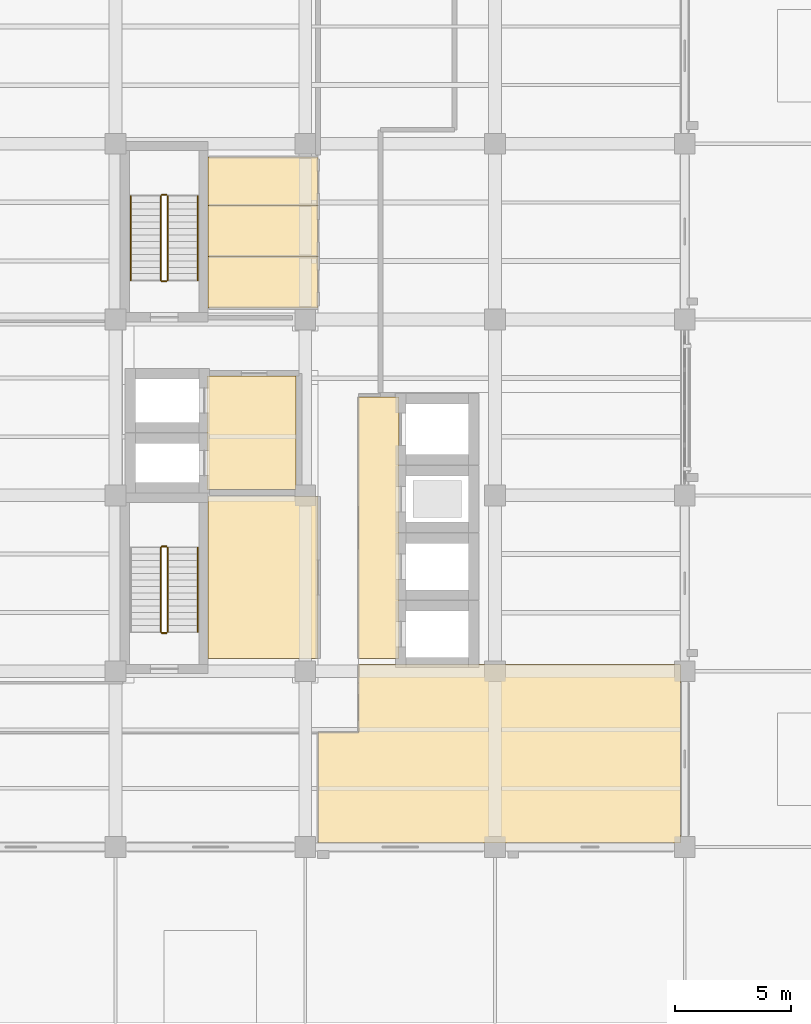
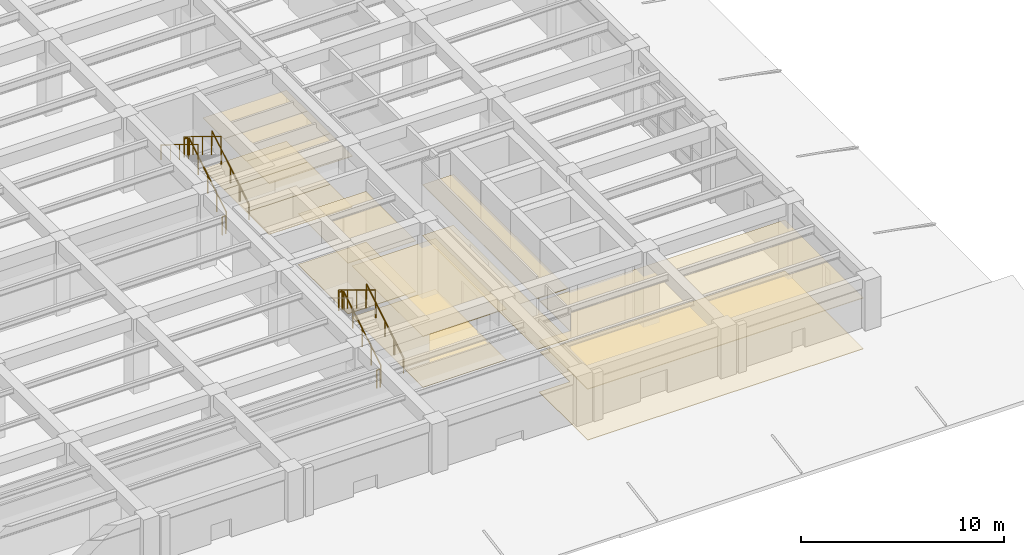
# One storey, part 54 of 57: 14 coverings, 11 railings.
"""IFC4 building model written with IfcOpenShell, lengths in metres."""

from ifc_helpers import new_model, si_unit, direction, frame, origin, origin_2d, place, context, subcontext, project, spatial, polyline, circle, outline, extrude, material, layer, layer_set, type_object, element, save


model = new_model("IFC4")

# Units and contexts
model_context = context("Model", 3, precision=1e-05, world=origin(), true_north=direction((0.0, 1.0)))
body_context = subcontext(model_context, "Body", "Model", "MODEL_VIEW")
ifc_project = project(units=[si_unit("LENGTHUNIT", "METRE"), si_unit("AREAUNIT", "SQUARE_METRE"), si_unit("VOLUMEUNIT", "CUBIC_METRE"), si_unit("PLANEANGLEUNIT", "RADIAN"), si_unit("MASSUNIT", "GRAM", prefix="KILO")], contexts=[model_context])

# Site, building, storey
site_placement = place(None, origin())
site = spatial("IfcSite", under=ifc_project, at=site_placement, CompositionType="ELEMENT")
building_placement = place(site_placement, origin())
building = spatial("IfcBuilding", under=site, at=building_placement, Name="Qandaris Square Conservatory and Botanical Centre", CompositionType="ELEMENT")
storey_placement = place(building_placement, frame((0.0, 0.0, 5.39990234375)))
storey = spatial("IfcBuildingStorey", under=building, at=storey_placement, Name="L01", CompositionType="ELEMENT", Elevation=5.39990234375)

# Coverings
ifc_material_1 = material(Name="Honed Qatari Limestone", Category="masonry")
ifc_layer_1 = layer(ifc_material_1, 0.030029296875)
ifc_layer_set_1 = layer_set([ifc_layer_1], Name="Honed Qatari Limestone")
covering_type_1 = type_object("IfcCoveringType", Name="Honed Qatari Limestone Concourse Paving", PredefinedType="FLOORING", material=ifc_layer_set_1)
covering_1_placement = place(storey_placement, origin())
element("IfcCovering", 1, at=covering_1_placement, inside=storey, type_object=covering_type_1, Name="Firefighting Lift Lobby L01 Flooring", PredefinedType="FLOORING", context=body_context, shape_type="SweptSolid", body=[
    extrude(outline(polyline([(143.14990234375, 36.949951171875), (147.0, 36.949951171875), (147.0, 32.050048828125), (143.14990234375, 32.050048828125), (143.14990234375, 36.949951171875)])), origin(), (0.0, 0.0, 1.0), 0.030029296875),
])
covering_2_placement = place(storey_placement, origin())
element("IfcCovering", 2, at=covering_2_placement, inside=storey, type_object=covering_type_1, Name="Passenger Lift Lobby L01 Flooring", PredefinedType="FLOORING", context=body_context, shape_type="SweptSolid", body=[
    extrude(outline(polyline([(149.699951171875, 36.050048828125), (151.449951171875, 36.050048828125), (151.449951171875, 24.75), (149.699951171875, 24.75), (149.699951171875, 36.050048828125)])), origin(), (0.0, 0.0, 1.0), 0.030029296875),
])
covering_3_placement = place(storey_placement, origin())
element("IfcCovering", 3, at=covering_3_placement, inside=storey, type_object=covering_type_1, Name="Qatari Flora Seminar Room Flooring", PredefinedType="FLOORING", context=body_context, shape_type="SweptSolid", body=[
    extrude(outline(polyline([(147.949951171875, 21.550048828125), (149.699951171875, 21.550048828125), (149.699951171875, 23.699951171875), (149.699951171875, 24.5), (163.6201171875, 24.5), (163.6201171875, 16.780029296875), (147.949951171875, 16.780029296875), (147.949951171875, 21.550048828125)])), origin(), (0.0, 0.0, 1.0), 0.030029296875),
])
ifc_material_2 = material(Name="Gypsum Plasterboard", Category="gypsum")
ifc_layer_2 = layer(ifc_material_2, 0.02490234375)
ifc_layer_set_2 = layer_set([ifc_layer_2], Name="Gypsum Plasterboard")
covering_type_2 = type_object("IfcCoveringType", Name="Perforated Acoustic Lab Ceiling Tile", PredefinedType="CEILING", material=ifc_layer_set_2)
covering_4_placement = place(storey_placement, frame((0.0, 0.0, 3.050048828125)))
element("IfcCovering", 4, at=covering_4_placement, inside=storey, type_object=covering_type_2, Name="Firefighting Lift Lobby L01 Ceiling", PredefinedType="CEILING", context=body_context, shape_type="SweptSolid", body=[
    extrude(outline(polyline([(143.14990234375, 36.949951171875), (147.0, 36.949951171875), (147.0, 32.050048828125), (143.14990234375, 32.050048828125), (143.14990234375, 36.949951171875)])), origin(), (0.0, 0.0, 1.0), 0.025146484375),
])
covering_5_placement = place(storey_placement, frame((0.0, 0.0, 3.050048828125)))
element("IfcCovering", 5, at=covering_5_placement, inside=storey, type_object=covering_type_2, Name="Electrical and Telecom Riser Room L01 Ceiling", PredefinedType="CEILING", context=body_context, shape_type="SweptSolid", body=[
    extrude(outline(polyline([(147.949951171875, 31.75), (147.949951171875, 24.75), (143.199951171875, 24.75), (143.199951171875, 31.75), (147.949951171875, 31.75)])), origin(), (0.0, 0.0, 1.0), 0.025146484375),
])
covering_6_placement = place(storey_placement, frame((0.0, 0.0, 3.050048828125)))
element("IfcCovering", 6, at=covering_6_placement, inside=storey, type_object=covering_type_2, Name="Passenger Lift Lobby L01 Ceiling", PredefinedType="CEILING", context=body_context, shape_type="SweptSolid", body=[
    extrude(outline(polyline([(149.699951171875, 36.050048828125), (151.449951171875, 36.050048828125), (151.449951171875, 24.75), (149.699951171875, 24.75), (149.699951171875, 36.050048828125)])), origin(), (0.0, 0.0, 1.0), 0.025146484375),
])
covering_7_placement = place(storey_placement, frame((0.0, 0.0, 3.050048828125)))
element("IfcCovering", 7, at=covering_7_placement, inside=storey, type_object=covering_type_2, Name="Accessible Toilet L01 Ceiling", PredefinedType="CEILING", context=body_context, shape_type="SweptSolid", body=[
    extrude(outline(polyline([(147.949951171875, 42.1201171875), (147.949951171875, 39.89990234375), (143.199951171875, 39.89990234375), (143.199951171875, 42.1201171875), (147.949951171875, 42.1201171875)])), origin(), (0.0, 0.0, 1.0), 0.025146484375),
])
covering_8_placement = place(storey_placement, frame((0.0, 0.0, 3.050048828125)))
element("IfcCovering", 8, at=covering_8_placement, inside=storey, type_object=covering_type_2, Name="Staff Male Toilet L01 Ceiling", PredefinedType="CEILING", context=body_context, shape_type="SweptSolid", body=[
    extrude(outline(polyline([(147.949951171875, 44.340087890625), (147.949951171875, 42.1201171875), (143.199951171875, 42.1201171875), (143.199951171875, 44.340087890625), (147.949951171875, 44.340087890625)])), origin(), (0.0, 0.0, 1.0), 0.025146484375),
])
covering_9_placement = place(storey_placement, frame((0.0, 0.0, 3.050048828125)))
element("IfcCovering", 9, at=covering_9_placement, inside=storey, type_object=covering_type_2, Name="Staff Female Toilet L01 Ceiling", PredefinedType="CEILING", context=body_context, shape_type="SweptSolid", body=[
    extrude(outline(polyline([(147.949951171875, 46.419921875), (147.949951171875, 44.340087890625), (143.199951171875, 44.340087890625), (143.199951171875, 46.419921875), (147.949951171875, 46.419921875)])), origin(), (0.0, 0.0, 1.0), 0.025146484375),
])
ifc_material_3 = material(Name="Epoxy Resin Screed", Category="finish")
ifc_layer_3 = layer(ifc_material_3, 0.014892578125)
ifc_layer_set_3 = layer_set([ifc_layer_3], Name="Epoxy Resin Screed")
covering_type_3 = type_object("IfcCoveringType", Name="Seamless Epoxy Laboratory Flooring", PredefinedType="FLOORING", material=ifc_layer_set_3)
covering_10_placement = place(storey_placement, origin())
element("IfcCovering", 10, at=covering_10_placement, inside=storey, type_object=covering_type_3, Name="Electrical and Telecom Riser Room L01 Flooring", PredefinedType="FLOORING", context=body_context, shape_type="SweptSolid", body=[
    extrude(outline(polyline([(147.949951171875, 31.75), (147.949951171875, 24.75), (143.199951171875, 24.75), (143.199951171875, 31.75), (147.949951171875, 31.75)])), origin(), (0.0, 0.0, 1.0), 0.01513671875),
])
covering_11_placement = place(storey_placement, origin())
element("IfcCovering", 11, at=covering_11_placement, inside=storey, type_object=covering_type_3, Name="Accessible Toilet L01 Flooring", PredefinedType="FLOORING", context=body_context, shape_type="SweptSolid", body=[
    extrude(outline(polyline([(147.949951171875, 42.1201171875), (147.949951171875, 39.89990234375), (143.199951171875, 39.89990234375), (143.199951171875, 42.1201171875), (147.949951171875, 42.1201171875)])), origin(), (0.0, 0.0, 1.0), 0.01513671875),
])
covering_12_placement = place(storey_placement, origin())
element("IfcCovering", 12, at=covering_12_placement, inside=storey, type_object=covering_type_3, Name="Staff Male Toilet L01 Flooring", PredefinedType="FLOORING", context=body_context, shape_type="SweptSolid", body=[
    extrude(outline(polyline([(147.949951171875, 44.340087890625), (147.949951171875, 42.1201171875), (143.199951171875, 42.1201171875), (143.199951171875, 44.340087890625), (147.949951171875, 44.340087890625)])), origin(), (0.0, 0.0, 1.0), 0.01513671875),
])
covering_13_placement = place(storey_placement, origin())
element("IfcCovering", 13, at=covering_13_placement, inside=storey, type_object=covering_type_3, Name="Staff Female Toilet L01 Flooring", PredefinedType="FLOORING", context=body_context, shape_type="SweptSolid", body=[
    extrude(outline(polyline([(147.949951171875, 46.419921875), (147.949951171875, 44.340087890625), (143.199951171875, 44.340087890625), (143.199951171875, 46.419921875), (147.949951171875, 46.419921875)])), origin(), (0.0, 0.0, 1.0), 0.01513671875),
])
ifc_material_4 = material(Name="Engineered Oak Timber", Category="wood")
ifc_layer_4 = layer(ifc_material_4, 0.0400390625)
ifc_layer_set_4 = layer_set([ifc_layer_4], Name="Engineered Oak Timber")
covering_type_4 = type_object("IfcCoveringType", Name="Slatted Oak Acoustic Gallery Ceiling", PredefinedType="CEILING", material=ifc_layer_set_4)
covering_14_placement = place(storey_placement, frame((0.0, 0.0, 3.050048828125)))
element("IfcCovering", 14, at=covering_14_placement, inside=storey, type_object=covering_type_4, Name="Qatari Flora Seminar Room Ceiling", PredefinedType="CEILING", context=body_context, shape_type="SweptSolid", body=[
    extrude(outline(polyline([(147.949951171875, 21.550048828125), (149.699951171875, 21.550048828125), (149.699951171875, 23.699951171875), (149.699951171875, 24.5), (163.6201171875, 24.5), (163.6201171875, 16.780029296875), (147.949951171875, 16.780029296875), (147.949951171875, 21.550048828125)])), origin(), (0.0, 0.0, 1.0), 0.0400390625),
])

# Railings
ifc_material_5 = material(Name="Stainless Steel", Category="steel")
railing_type_1 = type_object("IfcRailingType", Name="Stair Tubular Handrail 920mm", PredefinedType="HANDRAIL", material=ifc_material_5)
railing_1_placement = place(storey_placement, frame((142.75, 25.89990234375, 0.343017578125)))
element("IfcRailing", 15, at=railing_1_placement, inside=storey, type_object=railing_type_1, Name="L01 ST-1 stair handrail 1", PredefinedType="HANDRAIL", context=body_context, shape_type="SweptSolid", body=[
    extrude(circle(Radius=0.02392578125, at=origin_2d()), frame((0.0, 0.0, 0.89599609375), z_axis=(0.0, 0.852865859571, 0.52213008492), x_axis=(-1.0, 0.0, 0.0)), (0.0, 0.0, 1.0), 4.26806640625),
    extrude(circle(Radius=0.02099609375, at=origin_2d()), origin(), (0.0, 0.0, 1.0), 0.871826171875),
    extrude(circle(Radius=0.02099609375, at=origin_2d()), frame((0.0, 0.91015625, 0.55712890625)), (0.0, 0.0, 1.0), 0.871826171875),
    extrude(circle(Radius=0.02099609375, at=origin_2d()), frame((0.0, 1.820068359375, 1.1142578125)), (0.0, 0.0, 1.0), 0.871826171875),
    extrude(circle(Radius=0.02099609375, at=origin_2d()), frame((0.0, 2.72998046875, 1.67138671875)), (0.0, 0.0, 1.0), 0.871826171875),
    extrude(circle(Radius=0.02099609375, at=origin_2d()), frame((0.0, 3.64013671875, 2.228515625)), (0.0, 0.0, 1.0), 0.871826171875),
])
railing_2_placement = place(storey_placement, frame((142.75, 41.10009765625, 0.343017578125)))
element("IfcRailing", 16, at=railing_2_placement, inside=storey, type_object=railing_type_1, Name="L01 ST-2 stair handrail 1", PredefinedType="HANDRAIL", context=body_context, shape_type="SweptSolid", body=[
    extrude(circle(Radius=0.02392578125, at=origin_2d()), frame((0.0, 0.0, 0.89599609375), z_axis=(0.0, 0.852850264322, 0.5221555579), x_axis=(-1.0, 0.0, 0.0)), (0.0, 0.0, 1.0), 4.267822265625),
    extrude(circle(Radius=0.02099609375, at=origin_2d()), origin(), (0.0, 0.0, 1.0), 0.871826171875),
    extrude(circle(Radius=0.02099609375, at=origin_2d()), frame((0.0, 0.909912109375, 0.55712890625)), (0.0, 0.0, 1.0), 0.871826171875),
    extrude(circle(Radius=0.02099609375, at=origin_2d()), frame((0.0, 1.81982421875, 1.1142578125)), (0.0, 0.0, 1.0), 0.871826171875),
    extrude(circle(Radius=0.02099609375, at=origin_2d()), frame((0.0, 2.72998046875, 1.67138671875)), (0.0, 0.0, 1.0), 0.871826171875),
    extrude(circle(Radius=0.02099609375, at=origin_2d()), frame((0.0, 3.639892578125, 2.228515625)), (0.0, 0.0, 1.0), 0.871826171875),
])
railing_3_placement = place(storey_placement, frame((139.85009765625, 44.739990234375, 2.742919921875)))
element("IfcRailing", 17, at=railing_3_placement, inside=storey, type_object=railing_type_1, Name="L01 ST-2 stair handrail 2", PredefinedType="HANDRAIL", context=body_context, shape_type="SweptSolid", body=[
    extrude(circle(Radius=0.02392578125, at=origin_2d()), frame((0.0, 0.0, 0.89599609375), z_axis=(0.0, -0.852850264322, 0.5221555579), x_axis=(1.0, 0.0, 0.0)), (0.0, 0.0, 1.0), 4.267822265625),
    extrude(circle(Radius=0.02099609375, at=origin_2d()), origin(), (0.0, 0.0, 1.0), 0.871826171875),
    extrude(circle(Radius=0.02099609375, at=origin_2d()), frame((0.0, -0.909912109375, 0.55712890625)), (0.0, 0.0, 1.0), 0.871826171875),
    extrude(circle(Radius=0.02099609375, at=origin_2d()), frame((0.0, -1.81982421875, 1.1142578125)), (0.0, 0.0, 1.0), 0.871826171875),
    extrude(circle(Radius=0.02099609375, at=origin_2d()), frame((0.0, -2.72998046875, 1.67138671875)), (0.0, 0.0, 1.0), 0.871826171875),
    extrude(circle(Radius=0.02099609375, at=origin_2d()), frame((0.0, -3.639892578125, 2.228515625)), (0.0, 0.0, 1.0), 0.871826171875),
])
railing_type_2 = type_object("IfcRailingType", Name="Stairwell & Atrium Guardrail 1120mm", PredefinedType="GUARDRAIL", material=ifc_material_5)
railing_4_placement = place(storey_placement, frame((141.449951171875, 25.89990234375, 0.171630859375)))
element("IfcRailing", 18, at=railing_4_placement, inside=storey, type_object=railing_type_2, Name="L01 ST-1 stair guard 1", PredefinedType="GUARDRAIL", context=body_context, shape_type="SweptSolid", body=[
    extrude(circle(Radius=0.02392578125, at=origin_2d()), frame((0.0, 0.0, 1.09619140625), z_axis=(0.0, 0.852865859571, 0.52213008492), x_axis=(-1.0, 0.0, 0.0)), (0.0, 0.0, 1.0), 4.26806640625),
    extrude(circle(Radius=0.02099609375, at=origin_2d()), origin(), (0.0, 0.0, 1.0), 1.072021484375),
    extrude(circle(Radius=0.02099609375, at=origin_2d()), frame((0.0, 0.91015625, 0.55712890625)), (0.0, 0.0, 1.0), 1.072021484375),
    extrude(circle(Radius=0.02099609375, at=origin_2d()), frame((0.0, 1.820068359375, 1.1142578125)), (0.0, 0.0, 1.0), 1.072021484375),
    extrude(circle(Radius=0.02099609375, at=origin_2d()), frame((0.0, 2.72998046875, 1.67138671875)), (0.0, 0.0, 1.0), 1.072021484375),
    extrude(circle(Radius=0.02099609375, at=origin_2d()), frame((0.0, 3.64013671875, 2.228515625)), (0.0, 0.0, 1.0), 1.072021484375),
])
railing_5_placement = place(storey_placement, frame((141.39990234375, 29.590087890625, 2.400146484375)))
element("IfcRailing", 19, at=railing_5_placement, inside=storey, type_object=railing_type_2, Name="L01 ST-1 stair guard 2", PredefinedType="GUARDRAIL", context=body_context, shape_type="SweptSolid", body=[
    extrude(circle(Radius=0.02392578125, at=origin_2d()), frame((0.0, 0.0, 1.09619140625), z_axis=(-1.0, 0.0, 0.0), x_axis=(0.0, -1.0, 0.0)), (0.0, 0.0, 1.0), 0.199951171875),
    extrude(circle(Radius=0.02099609375, at=origin_2d()), origin(), (0.0, 0.0, 1.0), 1.072021484375),
    extrude(circle(Radius=0.02099609375, at=origin_2d()), frame((-0.199951171875, 0.0, 0.0)), (0.0, 0.0, 1.0), 1.072021484375),
])
railing_6_placement = place(storey_placement, frame((141.14990234375, 29.5400390625, 2.571533203125)))
element("IfcRailing", 20, at=railing_6_placement, inside=storey, type_object=railing_type_2, Name="L01 ST-1 stair guard 3", PredefinedType="GUARDRAIL", context=body_context, shape_type="SweptSolid", body=[
    extrude(circle(Radius=0.02392578125, at=origin_2d()), frame((0.0, 0.0, 1.09619140625), z_axis=(0.0, -0.852865859571, 0.52213008492), x_axis=(1.0, 0.0, 0.0)), (0.0, 0.0, 1.0), 4.26806640625),
    extrude(circle(Radius=0.02099609375, at=origin_2d()), origin(), (0.0, 0.0, 1.0), 1.072021484375),
    extrude(circle(Radius=0.02099609375, at=origin_2d()), frame((0.0, -0.91015625, 0.55712890625)), (0.0, 0.0, 1.0), 1.072021484375),
    extrude(circle(Radius=0.02099609375, at=origin_2d()), frame((0.0, -1.820068359375, 1.1142578125)), (0.0, 0.0, 1.0), 1.072021484375),
    extrude(circle(Radius=0.02099609375, at=origin_2d()), frame((0.0, -2.72998046875, 1.67138671875)), (0.0, 0.0, 1.0), 1.072021484375),
    extrude(circle(Radius=0.02099609375, at=origin_2d()), frame((0.0, -3.64013671875, 2.228515625)), (0.0, 0.0, 1.0), 1.072021484375),
])
railing_7_placement = place(storey_placement, frame((141.39990234375, 25.85009765625, 0.0)))
element("IfcRailing", 21, at=railing_7_placement, inside=storey, type_object=railing_type_2, Name="L01 ST-1 stair guard 4", PredefinedType="GUARDRAIL", context=body_context, shape_type="SweptSolid", body=[
    extrude(circle(Radius=0.02392578125, at=origin_2d()), frame((0.0, 0.0, 1.09619140625), z_axis=(-1.0, 0.0, 0.0), x_axis=(0.0, -1.0, 0.0)), (0.0, 0.0, 1.0), 0.199951171875),
    extrude(circle(Radius=0.02099609375, at=origin_2d()), origin(), (0.0, 0.0, 1.0), 1.072021484375),
    extrude(circle(Radius=0.02099609375, at=origin_2d()), frame((-0.199951171875, 0.0, 0.0)), (0.0, 0.0, 1.0), 1.072021484375),
])
railing_8_placement = place(storey_placement, frame((141.449951171875, 41.10009765625, 0.171630859375)))
element("IfcRailing", 22, at=railing_8_placement, inside=storey, type_object=railing_type_2, Name="L01 ST-2 stair guard 1", PredefinedType="GUARDRAIL", context=body_context, shape_type="SweptSolid", body=[
    extrude(circle(Radius=0.02392578125, at=origin_2d()), frame((0.0, 0.0, 1.09619140625), z_axis=(0.0, 0.852850264322, 0.5221555579), x_axis=(-1.0, 0.0, 0.0)), (0.0, 0.0, 1.0), 4.267822265625),
    extrude(circle(Radius=0.02099609375, at=origin_2d()), origin(), (0.0, 0.0, 1.0), 1.072021484375),
    extrude(circle(Radius=0.02099609375, at=origin_2d()), frame((0.0, 0.909912109375, 0.55712890625)), (0.0, 0.0, 1.0), 1.072021484375),
    extrude(circle(Radius=0.02099609375, at=origin_2d()), frame((0.0, 1.81982421875, 1.1142578125)), (0.0, 0.0, 1.0), 1.072021484375),
    extrude(circle(Radius=0.02099609375, at=origin_2d()), frame((0.0, 2.72998046875, 1.67138671875)), (0.0, 0.0, 1.0), 1.072021484375),
    extrude(circle(Radius=0.02099609375, at=origin_2d()), frame((0.0, 3.639892578125, 2.228515625)), (0.0, 0.0, 1.0), 1.072021484375),
])
railing_9_placement = place(storey_placement, frame((141.39990234375, 44.7900390625, 2.400146484375)))
element("IfcRailing", 23, at=railing_9_placement, inside=storey, type_object=railing_type_2, Name="L01 ST-2 stair guard 2", PredefinedType="GUARDRAIL", context=body_context, shape_type="SweptSolid", body=[
    extrude(circle(Radius=0.02392578125, at=origin_2d()), frame((0.0, 0.0, 1.09619140625), z_axis=(-1.0, 0.0, 0.0), x_axis=(0.0, -1.0, 0.0)), (0.0, 0.0, 1.0), 0.199951171875),
    extrude(circle(Radius=0.02099609375, at=origin_2d()), origin(), (0.0, 0.0, 1.0), 1.072021484375),
    extrude(circle(Radius=0.02099609375, at=origin_2d()), frame((-0.199951171875, 0.0, 0.0)), (0.0, 0.0, 1.0), 1.072021484375),
])
railing_10_placement = place(storey_placement, frame((141.14990234375, 44.739990234375, 2.571533203125)))
element("IfcRailing", 24, at=railing_10_placement, inside=storey, type_object=railing_type_2, Name="L01 ST-2 stair guard 3", PredefinedType="GUARDRAIL", context=body_context, shape_type="SweptSolid", body=[
    extrude(circle(Radius=0.02392578125, at=origin_2d()), frame((0.0, 0.0, 1.09619140625), z_axis=(0.0, -0.852850264322, 0.5221555579), x_axis=(1.0, 0.0, 0.0)), (0.0, 0.0, 1.0), 4.267822265625),
    extrude(circle(Radius=0.02099609375, at=origin_2d()), origin(), (0.0, 0.0, 1.0), 1.072021484375),
    extrude(circle(Radius=0.02099609375, at=origin_2d()), frame((0.0, -0.909912109375, 0.55712890625)), (0.0, 0.0, 1.0), 1.072021484375),
    extrude(circle(Radius=0.02099609375, at=origin_2d()), frame((0.0, -1.81982421875, 1.1142578125)), (0.0, 0.0, 1.0), 1.072021484375),
    extrude(circle(Radius=0.02099609375, at=origin_2d()), frame((0.0, -2.72998046875, 1.67138671875)), (0.0, 0.0, 1.0), 1.072021484375),
    extrude(circle(Radius=0.02099609375, at=origin_2d()), frame((0.0, -3.639892578125, 2.228515625)), (0.0, 0.0, 1.0), 1.072021484375),
])
railing_11_placement = place(storey_placement, frame((141.39990234375, 41.050048828125, 0.0)))
element("IfcRailing", 25, at=railing_11_placement, inside=storey, type_object=railing_type_2, Name="L01 ST-2 stair guard 4", PredefinedType="GUARDRAIL", context=body_context, shape_type="SweptSolid", body=[
    extrude(circle(Radius=0.02392578125, at=origin_2d()), frame((0.0, 0.0, 1.09619140625), z_axis=(-1.0, 0.0, 0.0), x_axis=(0.0, -1.0, 0.0)), (0.0, 0.0, 1.0), 0.199951171875),
    extrude(circle(Radius=0.02099609375, at=origin_2d()), origin(), (0.0, 0.0, 1.0), 1.072021484375),
    extrude(circle(Radius=0.02099609375, at=origin_2d()), frame((-0.199951171875, 0.0, 0.0)), (0.0, 0.0, 1.0), 1.072021484375),
])

save(model, "model.ifc")
